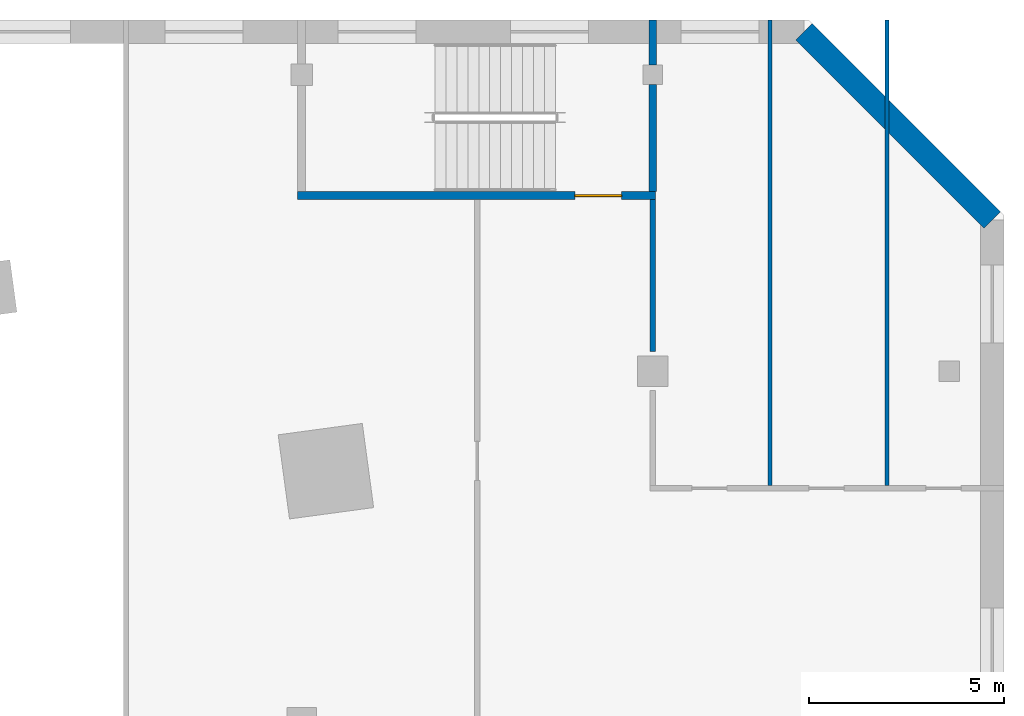
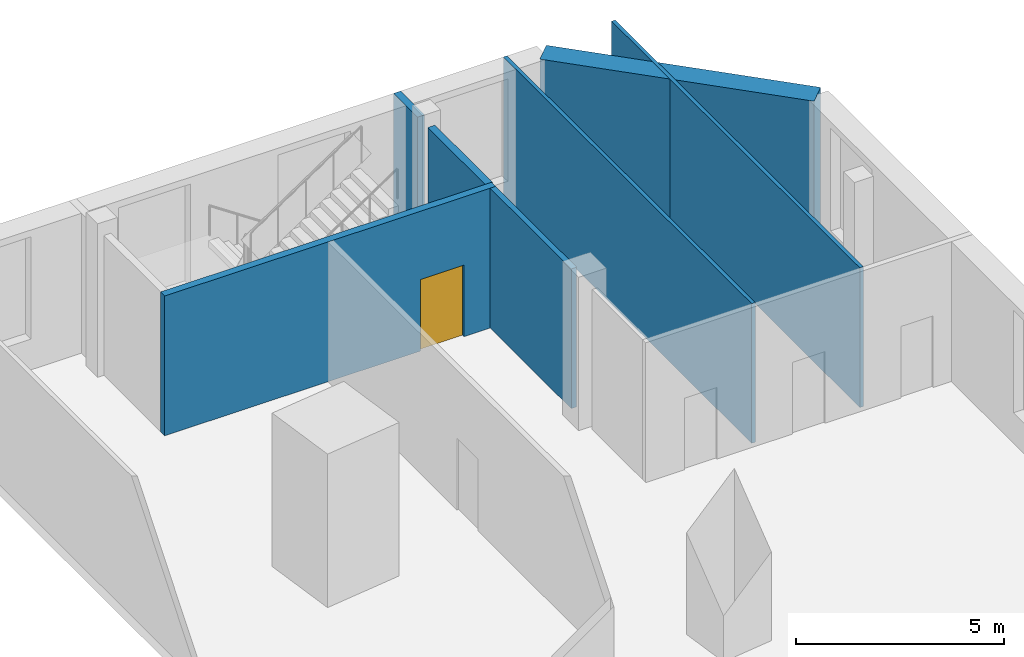
# One storey, part 18 of 27: 7 walls, 1 door, 1 opening.
"""IFC4 building model written with IfcOpenShell, lengths in metres."""

import ifcopenshell
import ifcopenshell.guid

model = None  # the IFC model being written
_history = None  # IfcOwnerHistory: only IFC2X3 demands one
_inside = {}  # id of a spatial element -> (the spatial element, [elements in it])
_under = {}  # id of a project, library or spatial element -> (it, [spatial elements below it])
_declared = {}  # id of a project -> (the project, [libraries it declares])
_typed = {}  # id of a type object -> (the type object, [elements of that type])
_made_of = {}  # id of a material, layer set ... -> (it, [elements and type objects made of it])


def new_model(schema):
    """Start an empty IFC model of exactly this schema.

    Asked for "IFC4X3", IfcOpenShell would pick the latest addendum, in which some entities
    have other attributes; the version numbers below select the first issue.
    IFC2X3 requires an IfcOwnerHistory on every rooted entity: one is made here for all.
    """
    global model, _history
    if schema == "IFC4X3":
        model = ifcopenshell.file(schema_version=(4, 3, 0, 0))
    else:
        model = ifcopenshell.file(schema=schema)
    _inside.clear()
    _under.clear()
    _declared.clear()
    _typed.clear()
    _made_of.clear()
    _history = None
    if model.schema == "IFC2X3":
        org = make("IfcOrganization", Name="unknown")
        user = make(
            "IfcPersonAndOrganization",
            ThePerson=make("IfcPerson", FamilyName="unknown"),
            TheOrganization=org,
        )
        app = make(
            "IfcApplication",
            ApplicationDeveloper=org,
            Version="unknown",
            ApplicationFullName="unknown",
            ApplicationIdentifier="unknown",
        )
        _history = make(
            "IfcOwnerHistory",
            OwningUser=user,
            OwningApplication=app,
            ChangeAction="ADDED",
            CreationDate=0,
        )
    return model


def make(cls, **values):
    """One entity of the class cls with the attributes given. An attribute that is None is left unset."""
    return model.create_entity(
        cls, **{name: value for name, value in values.items() if value is not None}
    )


def rooted(cls, **values):
    """An entity with a GlobalId (a new one), such as an element, a storey or a relation."""
    return make(cls, GlobalId=ifcopenshell.guid.new(), OwnerHistory=_history, **values)


def si_unit(unit_type, name, prefix=None):
    """IfcSIUnit, for example si_unit("LENGTHUNIT", "METRE", prefix="MILLI")."""
    return make("IfcSIUnit", UnitType=unit_type, Prefix=prefix, Name=name)


def assignment(units):
    """IfcUnitAssignment: the units of a project."""
    return None if units is None else make("IfcUnitAssignment", Units=units)


def point(xyz):
    """IfcCartesianPoint."""
    return None if xyz is None else make("IfcCartesianPoint", Coordinates=xyz)


def direction(xyz):
    """IfcDirection."""
    return None if xyz is None else make("IfcDirection", DirectionRatios=xyz)


def frame(location, z_axis=None, x_axis=None):
    """IfcAxis2Placement3D, a coordinate frame: its origin and axes. An axis left out is left unset."""
    return make(
        "IfcAxis2Placement3D",
        Location=point(location),
        Axis=direction(z_axis),
        RefDirection=direction(x_axis),
    )


def frame_2d(location, x_axis=None):
    """IfcAxis2Placement2D, a coordinate frame in the plane: its origin and x axis."""
    return make(
        "IfcAxis2Placement2D", Location=point(location), RefDirection=direction(x_axis)
    )


def origin():
    """The frame at (0, 0, 0) with its axes left unset."""
    return frame((0.0, 0.0, 0.0))


def place(relative_to, where):
    """IfcLocalPlacement: puts the frame where relative to a parent placement (None: the world)."""
    return make(
        "IfcLocalPlacement", PlacementRelTo=relative_to, RelativePlacement=where
    )


def context(
    kind, dimensions, precision=None, world=None, true_north=None, identifier=None
):
    """IfcGeometricRepresentationContext, for example the 3D "Model" context."""
    return make(
        "IfcGeometricRepresentationContext",
        ContextIdentifier=identifier,
        ContextType=kind,
        CoordinateSpaceDimension=dimensions,
        Precision=precision,
        WorldCoordinateSystem=world,
        TrueNorth=true_north,
    )


def subcontext(parent, identifier, kind, view, scale=None):
    """IfcGeometricRepresentationSubContext, for example "Body" below "Model"."""
    return make(
        "IfcGeometricRepresentationSubContext",
        ContextIdentifier=identifier,
        ContextType=kind,
        ParentContext=parent,
        TargetScale=scale,
        TargetView=view,
    )


def project(units=None, contexts=None):
    """IfcProject with its units and contexts."""
    return rooted(
        "IfcProject",
        Name="project",
        RepresentationContexts=contexts,
        UnitsInContext=assignment(units),
    )


def spatial(cls, under=None, at=None, **own):
    """A site, building, storey or space (cls), placed at a placement, below another one or the project."""
    s = rooted(cls, ObjectPlacement=at, **own)
    if under is not None:
        _under.setdefault(under.id(), (under, []))[1].append(s)
    return s


def profile(cls, at=None, kind="AREA", **sizes):
    """A parametric profile (cls). Its sizes go by their IFC names, for example OverallWidth=200.0."""
    return make(cls, ProfileType=kind, Position=at, **sizes)


def rectangle(**sizes):
    """IfcRectangleProfileDef."""
    return profile("IfcRectangleProfileDef", **sizes)


def extrude(swept, where, along, depth):
    """IfcExtrudedAreaSolid: the profile swept, set in the frame where, extruded along a direction by depth."""
    return make(
        "IfcExtrudedAreaSolid",
        SweptArea=swept,
        Position=where,
        ExtrudedDirection=direction(along),
        Depth=depth,
    )


def shape(context_of_items, identifier, shape_type, items):
    """IfcShapeRepresentation: the items that make up one representation, for example the "Body"."""
    return make(
        "IfcShapeRepresentation",
        ContextOfItems=context_of_items,
        RepresentationIdentifier=identifier,
        RepresentationType=shape_type,
        Items=items,
    )


def material(Name=None, Category=None):
    """IfcMaterial."""
    return make("IfcMaterial", Name=Name, Category=Category)


def layer(
    of_material, thickness, ventilated=None, Name=None, Category=None, Priority=None
):
    """IfcMaterialLayer: one layer of a wall or slab, of a material (None: an air gap)."""
    return make(
        "IfcMaterialLayer",
        Material=of_material,
        LayerThickness=thickness,
        IsVentilated=ventilated,
        Name=Name,
        Category=Category,
        Priority=Priority,
    )


def layer_set(layers, Name=None):
    """IfcMaterialLayerSet."""
    return make("IfcMaterialLayerSet", MaterialLayers=layers, LayerSetName=Name)


def made_of(thing, what):
    """Note that an element or type object is made of a material, layer set ...; save() writes the relation."""
    if what is not None:
        _made_of.setdefault(what.id(), (what, []))[1].append(thing)
    return thing


def type_object(cls, material=None, **own):
    """A type object (cls), such as IfcWallType, which elements share."""
    return made_of(rooted(cls, **own), material)


def element(
    cls,
    number,
    at=None,
    inside=None,
    cuts=None,
    type_object=None,
    material=None,
    context=None,
    identifier="Body",
    shape_type=None,
    held_by="IfcProductDefinitionShape",
    body=None,
    shapes=None,
    **own,
):
    """One element of the class cls, such as IfcWall. Its Tag is "e" and its number.

    at: its placement. inside: the storey or other place that contains it. cuts: it is an
    opening in that element (IfcRelVoidsElement). A single representation is given by context,
    identifier, shape_type and body (its items); several are given by shapes. held_by: the class
    of the entity that holds the representations. save() writes the other relations.
    """
    e = rooted(cls, Tag="e%d" % number, ObjectPlacement=at, **own)
    if body is not None:
        shapes = [shape(context, identifier, shape_type, body)]
    if shapes is not None:
        e.Representation = make(held_by, Representations=shapes)
    if inside is not None:
        _inside.setdefault(inside.id(), (inside, []))[1].append(e)
    if cuts is not None:
        rooted(
            "IfcRelVoidsElement", RelatingBuildingElement=cuts, RelatedOpeningElement=e
        )
    if type_object is not None:
        _typed.setdefault(type_object.id(), (type_object, []))[1].append(e)
    return made_of(e, material)


def fill(opening, filler):
    """IfcRelFillsElement: the door or window that sits in an opening."""
    return rooted(
        "IfcRelFillsElement",
        RelatingOpeningElement=opening,
        RelatedBuildingElement=filler,
    )


def aggregate(whole, parts):
    """IfcRelAggregates: a whole, such as a stair, and the parts it consists of."""
    return rooted("IfcRelAggregates", RelatingObject=whole, RelatedObjects=parts)


def save(model, path):
    """Write the relations noted so far, then the file.

    IfcRelAggregates (storeys below a building ...), IfcRelContainedInSpatialStructure (elements
    in a storey), IfcRelDefinesByType, IfcRelAssociatesMaterial and IfcRelDeclares: one each for
    every whole, place, type object, material and project.
    """
    for whole, parts in _under.values():
        aggregate(whole, parts)
    for where, things in _inside.values():
        rooted(
            "IfcRelContainedInSpatialStructure",
            RelatedElements=things,
            RelatingStructure=where,
        )
    for kind, things in _typed.values():
        rooted("IfcRelDefinesByType", RelatedObjects=things, RelatingType=kind)
    for what, things in _made_of.values():
        rooted("IfcRelAssociatesMaterial", RelatedObjects=things, RelatingMaterial=what)
    for by, libraries in _declared.values():
        rooted("IfcRelDeclares", RelatingContext=by, RelatedDefinitions=libraries)
    model.write(path)


model = new_model("IFC4")

# Units and contexts
model_context = context("Model", 3, precision=1e-05, world=origin(), true_north=direction((0.0, 1.0)))
body_context = subcontext(model_context, "Body", "Model", "MODEL_VIEW")
ifc_project = project(units=[si_unit("LENGTHUNIT", "METRE"), si_unit("AREAUNIT", "SQUARE_METRE"), si_unit("VOLUMEUNIT", "CUBIC_METRE"), si_unit("PLANEANGLEUNIT", "RADIAN"), si_unit("MASSUNIT", "GRAM", prefix="KILO")], contexts=[model_context])

# Site, building, storey
site_placement = place(None, origin())
site = spatial("IfcSite", under=ifc_project, at=site_placement, CompositionType="ELEMENT")
building_placement = place(site_placement, origin())
building = spatial("IfcBuilding", under=site, at=building_placement, Name="Dilmun Exchange Tower", CompositionType="ELEMENT")
storey_placement = place(building_placement, frame((0.0, 0.0, 4.5)))
storey = spatial("IfcBuildingStorey", under=building, at=storey_placement, Name="L01", CompositionType="ELEMENT", Elevation=4.5)

# Wall
ifc_material_1 = material(Name="Fire partition EI 60 150 gypsum")
ifc_layer_1 = layer(ifc_material_1, 0.14990234375)
ifc_layer_set_1 = layer_set([ifc_layer_1], Name="Fire partition EI 60 150 gypsum")
wall_type_1 = type_object("IfcWallType", Name="Fire partition EI 60 150 gypsum", PredefinedType="PARTITIONING", material=ifc_layer_set_1)
wall_1_placement = place(storey_placement, frame((27.0, 27.5, 0.0), z_axis=(0.0, 0.0, 1.0), x_axis=(0.0, 1.0, 0.0)))
element("IfcWall", 1, at=wall_1_placement, inside=storey, type_object=wall_type_1, Name="L01 partition", PredefinedType="PARTITIONING", context=body_context, shape_type="SweptSolid", body=[
    extrude(rectangle(XDim=3.89990234375, YDim=0.14990234375, at=frame_2d((1.949951171875, 0.0))), origin(), (0.0, 0.0, 1.0), 4.10009765625),
])

# Wall, opening, door
ifc_material_2 = material(Name="Fire wall EI 120 200 blockwork", Category="masonry")
ifc_layer_2 = layer(ifc_material_2, 0.199951171875)
ifc_layer_set_2 = layer_set([ifc_layer_2], Name="Fire wall EI 120 200 blockwork")
wall_type_2 = type_object("IfcWallType", Name="Fire wall EI 120 200 blockwork", PredefinedType="PARTITIONING", material=ifc_layer_set_2)
wall_2_placement = place(storey_placement, frame((17.89990234375, 31.5, 0.0), z_axis=(0.0, 0.0, 1.0), x_axis=(1.0, 0.0, 0.0)))
wall_2 = element("IfcWall", 2, at=wall_2_placement, inside=storey, type_object=wall_type_2, Name="L01 stair wall", PredefinedType="PARTITIONING", context=body_context, shape_type="SweptSolid", body=[
    extrude(rectangle(XDim=9.175048828125, YDim=0.199951171875, at=frame_2d((4.58740234375, 0.0))), origin(), (0.0, 0.0, 1.0), 4.10009765625),
])
opening_placement = place(wall_2_placement, frame((7.10009765625, 0.0, 0.0)))
opening = element("IfcOpeningElement", 3, at=opening_placement, cuts=wall_2, Name="Opening L01-D002", PredefinedType="OPENING", context=body_context, shape_type="SweptSolid", body=[
    extrude(rectangle(XDim=1.199951171875, YDim=2.10009765625, at=frame_2d((0.60009765625, 1.050048828125))), frame((0.0, 0.10986328125, 0.0), z_axis=(0.0, -1.0, 0.0), x_axis=(1.0, 0.0, 0.0)), (0.0, 0.0, 1.0), 0.219970703125),
])
ifc_material_3 = material(Name="Stair door FD90 1200 x 2100")
door_type = type_object("IfcDoorType", Name="Stair door FD90 1200 x 2100", OperationType="SINGLE_SWING_LEFT", PredefinedType="DOOR", material=ifc_material_3)
door_placement = place(opening_placement, origin())
door = element("IfcDoor", 4, at=door_placement, inside=storey, type_object=door_type, Name="L01 door L01-D002", OperationType="SINGLE_SWING_RIGHT", OverallHeight=2.10009765625, OverallWidth=1.199951171875, PredefinedType="DOOR", context=body_context, shape_type="SweptSolid", body=[
    extrude(rectangle(XDim=1.199951171875, YDim=2.10009765625, at=frame_2d((0.60009765625, 1.050048828125))), frame((0.0, 0.02490234375, 0.0), z_axis=(0.0, -1.0, 0.0), x_axis=(1.0, 0.0, 0.0)), (0.0, 0.0, 1.0), 0.050048828125),
])
fill(opening, door)

# Walls
wall_3_placement = place(storey_placement, frame((27.0, 31.60009765625, 0.0), z_axis=(0.0, 0.0, 1.0), x_axis=(0.0, 1.0, 0.0)))
element("IfcWall", 5, at=wall_3_placement, inside=storey, type_object=wall_type_2, Name="L01 stair wall", PredefinedType="PARTITIONING", context=body_context, shape_type="SweptSolid", body=[
    extrude(rectangle(XDim=2.75, YDim=0.199951171875, at=frame_2d((1.375, 0.0))), origin(), (0.0, 0.0, 1.0), 4.10009765625),
])
wall_4_placement = place(storey_placement, frame((27.0, 34.85009765625, 0.0), z_axis=(0.0, 0.0, 1.0), x_axis=(0.0, 1.0, 0.0)))
element("IfcWall", 6, at=wall_4_placement, inside=storey, type_object=wall_type_2, Name="L01 stair wall", PredefinedType="PARTITIONING", context=body_context, shape_type="SweptSolid", body=[
    extrude(rectangle(XDim=1.14990234375, YDim=0.199951171875, at=frame_2d((0.574951171875, 0.0))), origin(), (0.0, 0.0, 1.0), 4.10009765625),
])
ifc_material_4 = material(Name="Partition 100 gypsum")
ifc_layer_3 = layer(ifc_material_4, 0.10009765625)
ifc_layer_set_3 = layer_set([ifc_layer_3], Name="Partition 100 gypsum")
wall_type_3 = type_object("IfcWallType", Name="Partition 100 gypsum", PredefinedType="PARTITIONING", material=ifc_layer_set_3)
for number, where, z_axis, x_axis, name in (
    (7, (30.0, 24.074951171875, 0.0), (0.0, 0.0, 1.0), (0.0, 1.0, 0.0), "L01 partition"),
    (8, (33.0, 24.074951171875, 0.0), (0.0, 0.0, 1.0), (0.0, 1.0, 0.0), "L01 partition"),
):
    element("IfcWall", number, at=place(storey_placement, frame(where, z_axis=z_axis, x_axis=x_axis)), inside=storey, type_object=wall_type_3, Name=name, PredefinedType="PARTITIONING", context=body_context, shape_type="SweptSolid", body=[
        extrude(rectangle(XDim=11.925048828125, YDim=0.10009765625, at=frame_2d((5.96240234375, 0.0))), origin(), (0.0, 0.0, 1.0), 4.10009765625),
    ])
ifc_material_5 = material(Name="Precast concrete C50/60", Category="concrete")
ifc_layer_4 = layer(ifc_material_5, 0.60009765625)
ifc_layer_set_4 = layer_set([ifc_layer_4], Name="Precast concrete C50/60")
wall_type_4 = type_object("IfcWallType", Name="Precast stone-clad wall 600", PredefinedType="STANDARD", material=ifc_layer_set_4)
wall_5_placement = place(storey_placement, frame((35.699951171875, 30.875732421875, 0.0), z_axis=(0.0, 0.0, 1.0), x_axis=(-0.707106781187, 0.707106781187, 0.0)))
element("IfcWall", 9, at=wall_5_placement, inside=storey, type_object=wall_type_4, Name="Facade wall L01-03-0", PredefinedType="STANDARD", context=body_context, shape_type="SweptSolid", body=[
    extrude(rectangle(XDim=6.822509765625, YDim=0.60009765625, at=frame_2d((3.4111328125, 0.0))), origin(), (0.0, 0.0, 1.0), 4.10009765625),
])

save(model, "model.ifc")
